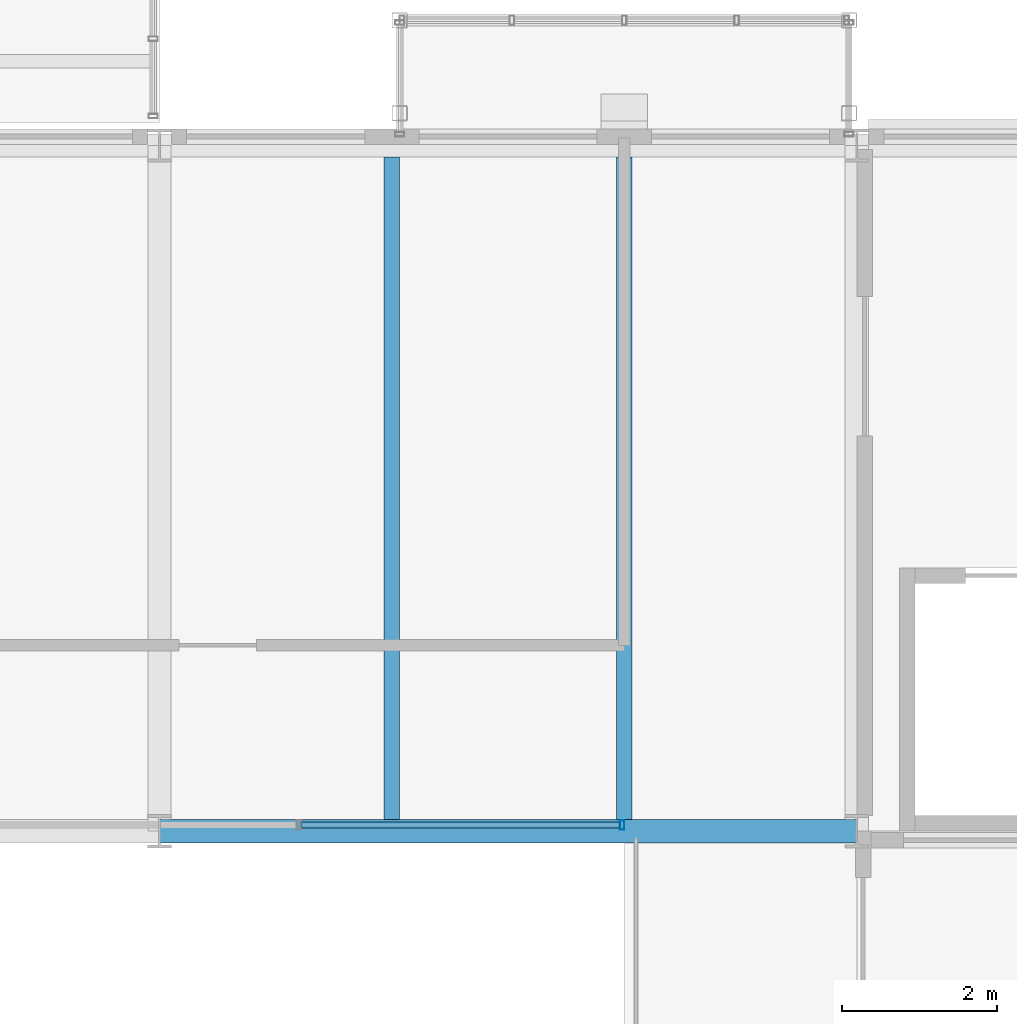
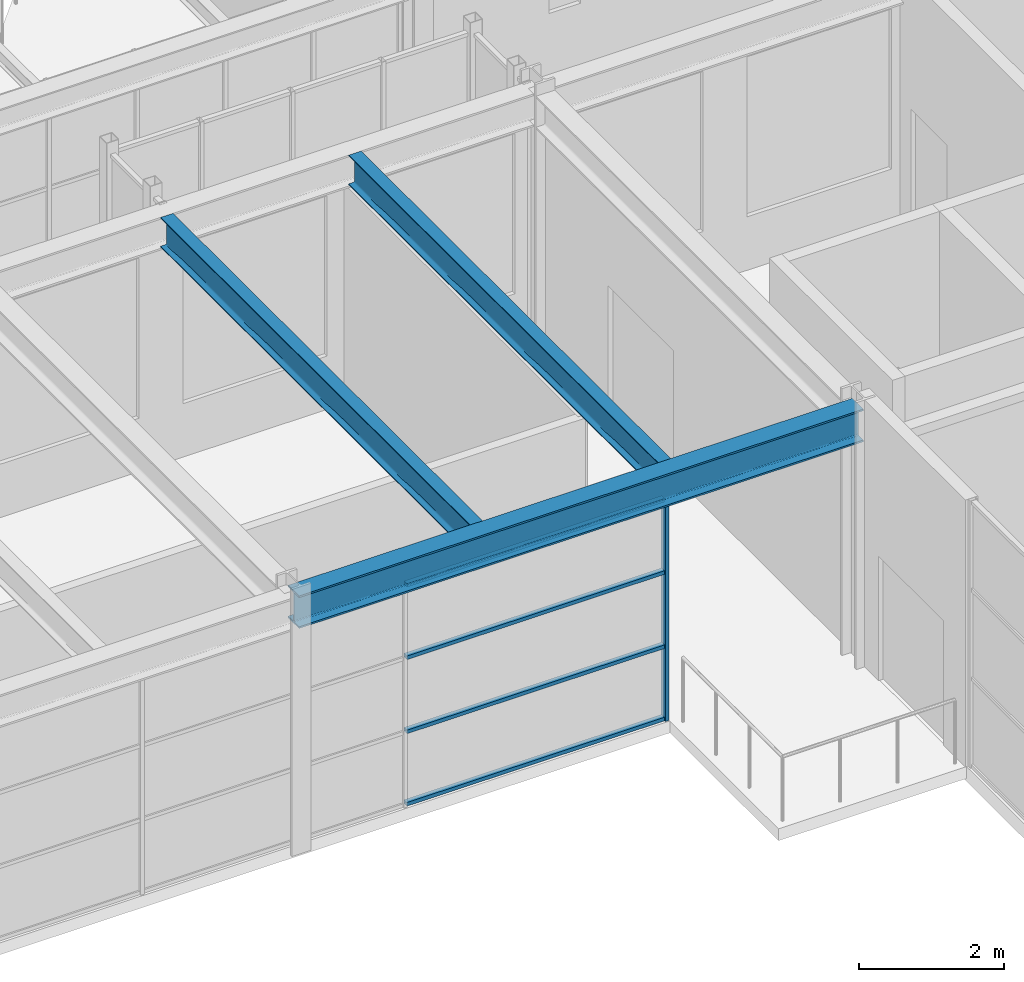
# One storey, part 38 of 111: 5 members, 3 beams, 1 element without a shape of its own.
"""IFC4 building model written with IfcOpenShell, lengths in metres."""

from ifc_helpers import new_model, si_unit, direction, frame, origin, origin_2d, place, context, subcontext, project, spatial, hollow_rectangle, i_section, extrude, material, material_profile, profile_set, type_object, element, aggregate, save


model = new_model("IFC4")

# Units and contexts
model_context = context("Model", 3, precision=1e-05, world=origin(), true_north=direction((0.0, 1.0)))
body_context = subcontext(model_context, "Body", "Model", "MODEL_VIEW")
ifc_project = project(units=[si_unit("LENGTHUNIT", "METRE"), si_unit("AREAUNIT", "SQUARE_METRE"), si_unit("VOLUMEUNIT", "CUBIC_METRE"), si_unit("PLANEANGLEUNIT", "RADIAN"), si_unit("MASSUNIT", "GRAM", prefix="KILO")], contexts=[model_context])

# Site, building, storey
site_placement = place(None, origin())
site = spatial("IfcSite", under=ifc_project, at=site_placement, CompositionType="ELEMENT")
building_placement = place(site_placement, origin())
building = spatial("IfcBuilding", under=site, at=building_placement, Name="Kallimachos Central Library", CompositionType="ELEMENT")
storey_placement = place(building_placement, frame((0.0, 0.0, 14.39990234375)))
storey = spatial("IfcBuildingStorey", under=building, at=storey_placement, Name="L03", CompositionType="ELEMENT", Elevation=14.39990234375)

# Curtain wall, members
ifc_material_1 = material(Name="Aluminium and laminated glass", Category="aluminium")
curtain_wall_type = type_object("IfcCurtainWallType", Name="Atrium glazed screen", PredefinedType="NOTDEFINED", material=ifc_material_1)
curtain_wall_placement = place(storey_placement, origin())
curtain_wall = element("IfcCurtainWall", 1, at=curtain_wall_placement, inside=storey, type_object=curtain_wall_type, Name="L03 atrium screen N", PredefinedType="NOTDEFINED")
ifc_material_2 = material(Name="Anodised aluminium", Category="aluminium")
ifc_material_profile_1 = material_profile(ifc_material_2, hollow_rectangle(XDim=0.06005859375, YDim=0.1201171875, WallThickness=0.00390625, at=origin_2d()), Name="ALU MULLION 60x120")
ifc_profile_set_1 = profile_set([ifc_material_profile_1], Name="Anodised aluminium")
member_type_1 = type_object("IfcMemberType", Name="Atrium screen mullion", PredefinedType="MULLION", material=ifc_profile_set_1)
member_1_placement = place(storey_placement, frame((98.469970703125, 75.080078125, 0.0), z_axis=(0.0, 0.0, 1.0), x_axis=(1.0, 0.0, 0.0)))
member_1 = element("IfcMember", 2, at=member_1_placement, type_object=member_type_1, Name="CW mullion 6", PredefinedType="MULLION", context=body_context, shape_type="SweptSolid", body=[
    extrude(hollow_rectangle(XDim=0.06005859375, YDim=0.1201171875, WallThickness=0.00390625, at=origin_2d()), origin(), (0.0, 0.0, 1.0), 3.75),
])
ifc_material_3 = material(Name="Anodised aluminium", Category="aluminium")
ifc_material_profile_2 = material_profile(ifc_material_3, hollow_rectangle(XDim=0.06005859375, YDim=0.080078125, WallThickness=0.00390625, at=origin_2d()), Name="ALU TRANSOM 60x80")
ifc_profile_set_2 = profile_set([ifc_material_profile_2], Name="Anodised aluminium")
member_type_2 = type_object("IfcMemberType", Name="Atrium screen transom", PredefinedType="USERDEFINED", material=ifc_profile_set_2)
member_2_placement = place(storey_placement, frame((94.330078125, 75.080078125, 0.030029296875), z_axis=(1.0, 0.0, 0.0), x_axis=(0.0, 0.0, 1.0)))
member_2 = element("IfcMember", 3, at=member_2_placement, type_object=member_type_2, Name="CW transom 5.1", ObjectType="TRANSOM", PredefinedType="USERDEFINED", context=body_context, shape_type="SweptSolid", body=[
    extrude(hollow_rectangle(XDim=0.06005859375, YDim=0.080078125, WallThickness=0.00390625, at=origin_2d()), origin(), (0.0, 0.0, 1.0), 4.10986328125),
])
member_3_placement = place(storey_placement, frame((94.330078125, 75.080078125, 1.25), z_axis=(1.0, 0.0, 0.0), x_axis=(0.0, 0.0, 1.0)))
member_3 = element("IfcMember", 4, at=member_3_placement, type_object=member_type_2, Name="CW transom 5.2", ObjectType="TRANSOM", PredefinedType="USERDEFINED", context=body_context, shape_type="SweptSolid", body=[
    extrude(hollow_rectangle(XDim=0.06005859375, YDim=0.080078125, WallThickness=0.00390625, at=origin_2d()), origin(), (0.0, 0.0, 1.0), 4.10986328125),
])
member_4_placement = place(storey_placement, frame((94.330078125, 75.080078125, 2.5), z_axis=(1.0, 0.0, 0.0), x_axis=(0.0, 0.0, 1.0)))
member_4 = element("IfcMember", 5, at=member_4_placement, type_object=member_type_2, Name="CW transom 5.3", ObjectType="TRANSOM", PredefinedType="USERDEFINED", context=body_context, shape_type="SweptSolid", body=[
    extrude(hollow_rectangle(XDim=0.06005859375, YDim=0.080078125, WallThickness=0.00390625, at=origin_2d()), origin(), (0.0, 0.0, 1.0), 4.10986328125),
])
member_5_placement = place(storey_placement, frame((94.330078125, 75.080078125, 3.72021484375), z_axis=(1.0, 0.0, 0.0), x_axis=(0.0, 0.0, 1.0)))
member_5 = element("IfcMember", 6, at=member_5_placement, type_object=member_type_2, Name="CW transom 5.4", ObjectType="TRANSOM", PredefinedType="USERDEFINED", context=body_context, shape_type="SweptSolid", body=[
    extrude(hollow_rectangle(XDim=0.06005859375, YDim=0.080078125, WallThickness=0.00390625, at=origin_2d()), origin(), (0.0, 0.0, 1.0), 4.10986328125),
])
aggregate(curtain_wall, [member_1, member_2, member_3, member_4, member_5])

# Beams
ifc_material_4 = material(Name="Steel S355J2", Category="steel")
ifc_material_profile_3 = material_profile(ifc_material_4, i_section(OverallWidth=0.300048828125, OverallDepth=0.550048828125, WebThickness=0.014892578125, FlangeThickness=0.029052734375, FilletRadius=0.027099609375, at=origin_2d()), Name="HEB 550")
ifc_profile_set_3 = profile_set([ifc_material_profile_3], Name="Steel S355J2")
beam_type_1 = type_object("IfcBeamType", Name="HEB 550 beam", PredefinedType="BEAM", material=ifc_profile_set_3)
beam_placement = place(storey_placement, frame((92.5, 75.0, 4.025146484375), z_axis=(1.0, 0.0, 0.0), x_axis=(0.0, 1.0, 0.0)))
element("IfcBeam", 7, at=beam_placement, inside=storey, type_object=beam_type_1, Name="V4-BEM-L03-003", PredefinedType="BEAM", context=body_context, shape_type="SweptSolid", body=[
    extrude(i_section(OverallWidth=0.300048828125, OverallDepth=0.550048828125, WebThickness=0.014892578125, FlangeThickness=0.029052734375, FilletRadius=0.027099609375, at=origin_2d()), origin(), (0.0, 0.0, 1.0), 9.0),
])
ifc_material_5 = material(Name="Steel S355J2", Category="steel")
ifc_material_profile_4 = material_profile(ifc_material_5, i_section(OverallWidth=0.199951171875, OverallDepth=0.5, WebThickness=0.01025390625, FlangeThickness=0.01611328125, FilletRadius=0.02099609375, at=origin_2d()), Name="IPE 500")
ifc_profile_set_4 = profile_set([ifc_material_profile_4], Name="Steel S355J2")
beam_type_2 = type_object("IfcBeamType", Name="IPE 500 beam", PredefinedType="BEAM", material=ifc_profile_set_4)
for number, where, z_axis, x_axis, name in (
    (8, (95.5, 75.14990234375, 4.050048828125), (0.0, 1.0, 0.0), (-1.0, 0.0, 0.0), "V4-BEM-L03-019"),
    (9, (98.5, 75.14990234375, 4.050048828125), (0.0, 1.0, 0.0), (-1.0, 0.0, 0.0), "V4-BEM-L03-020"),
):
    element("IfcBeam", number, at=place(storey_placement, frame(where, z_axis=z_axis, x_axis=x_axis)), inside=storey, type_object=beam_type_2, Name=name, PredefinedType="BEAM", context=body_context, shape_type="SweptSolid", body=[
        extrude(i_section(OverallWidth=0.199951171875, OverallDepth=0.5, WebThickness=0.01025390625, FlangeThickness=0.01611328125, FilletRadius=0.02099609375, at=origin_2d()), origin(), (0.0, 0.0, 1.0), 8.550048828125),
    ])

save(model, "model.ifc")
